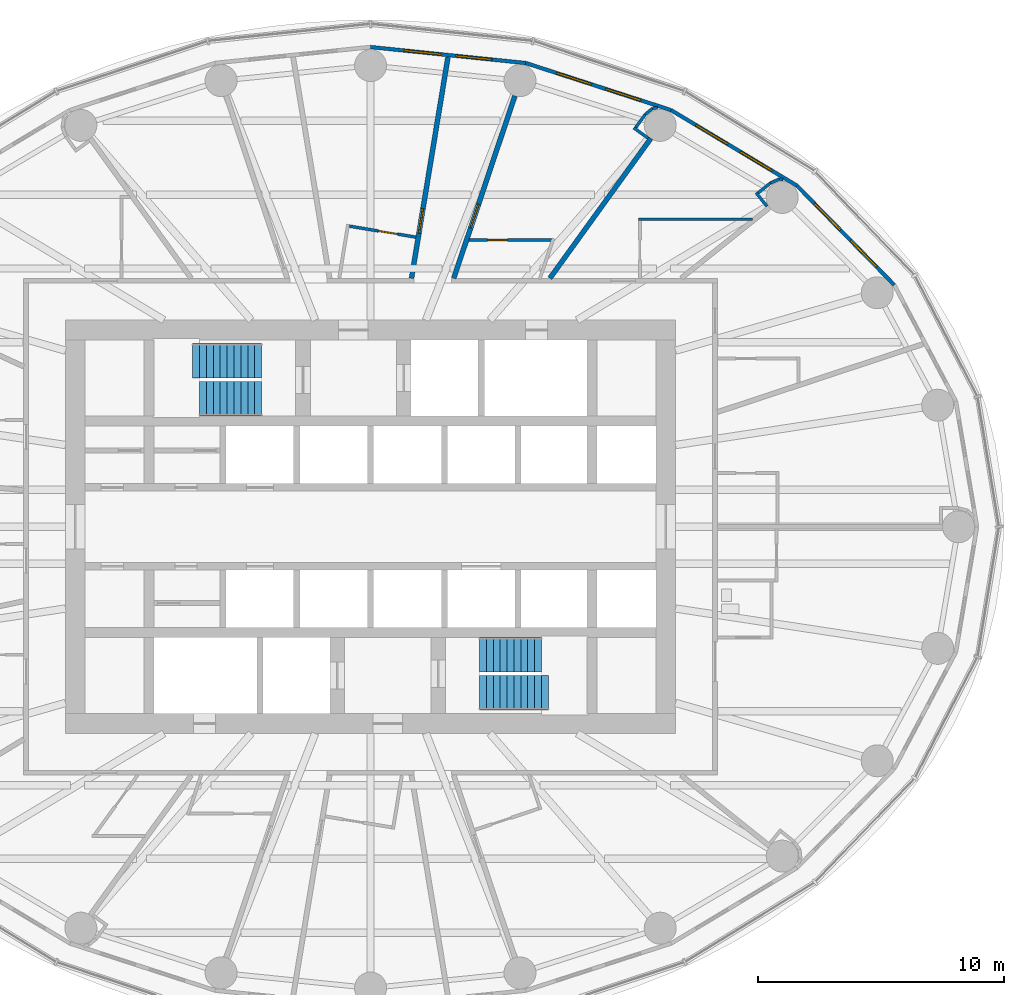
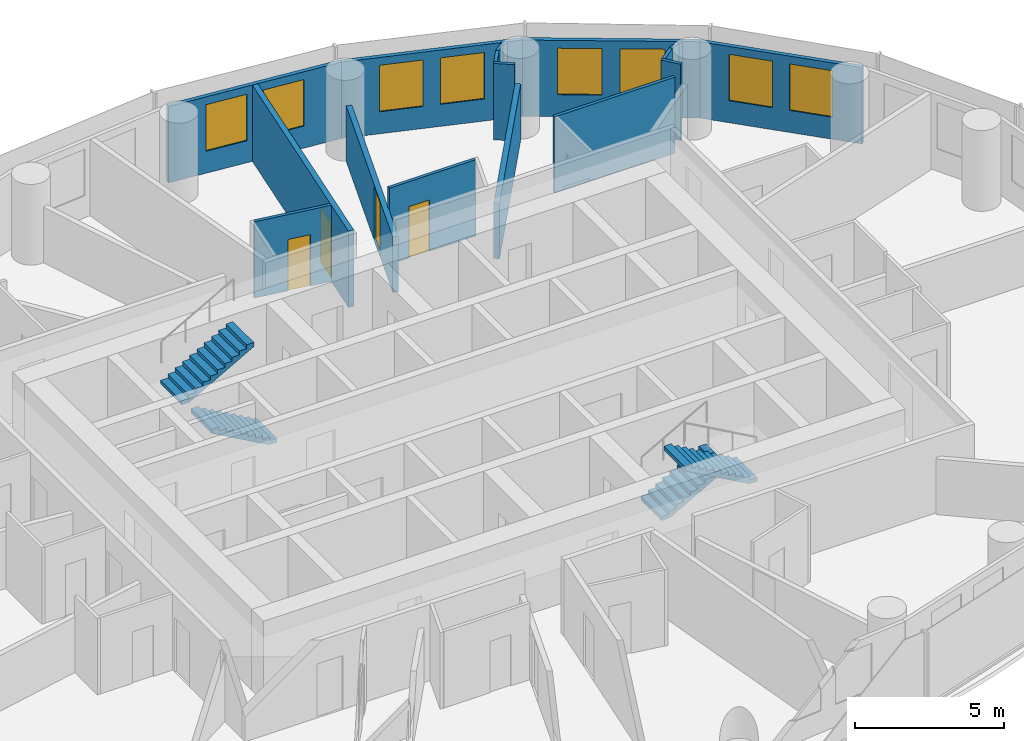
# One storey, part 11 of 13: 18 walls, 8 windows, 4 doors, 4 stair flights, 12 openings, 2 elements without a shape of their own.
"""IFC4 building model written with IfcOpenShell, lengths in metres."""

from ifc_helpers import new_model, si_unit, direction, frame, frame_2d, origin, place, context, subcontext, project, spatial, polyline, rectangle, outline, extrude, material, layer, layer_set, type_object, element, fill, aggregate, save


model = new_model("IFC4")

# Units and contexts
model_context = context("Model", 3, precision=1e-05, world=origin(), true_north=direction((0.0, 1.0)))
body_context = subcontext(model_context, "Body", "Model", "MODEL_VIEW")
ifc_project = project(units=[si_unit("LENGTHUNIT", "METRE"), si_unit("AREAUNIT", "SQUARE_METRE"), si_unit("VOLUMEUNIT", "CUBIC_METRE"), si_unit("PLANEANGLEUNIT", "RADIAN"), si_unit("MASSUNIT", "GRAM", prefix="KILO")], contexts=[model_context])

# Site, building, storey
site_placement = place(None, origin())
site = spatial("IfcSite", under=ifc_project, at=site_placement, CompositionType="ELEMENT")
building_placement = place(site_placement, origin())
building = spatial("IfcBuilding", under=site, at=building_placement, Name="Hankou Lantern Tower", CompositionType="ELEMENT")
storey_placement = place(building_placement, frame((0.0, 0.0, 105.60009765625)))
storey = spatial("IfcBuildingStorey", under=building, at=storey_placement, Name="L26", CompositionType="ELEMENT", Elevation=105.60009765625)

# Wall, openings, windows
ifc_material_1 = material(Name="Aluminium spandrel panel on steel studs", Category="steel")
ifc_layer_1 = layer(ifc_material_1, 0.14990234375)
ifc_layer_set_1 = layer_set([ifc_layer_1], Name="Aluminium spandrel panel on steel studs")
wall_type_1 = type_object("IfcWallType", Name="EW1 INNER SKIN WALL 150", PredefinedType="ELEMENTEDWALL", material=ifc_layer_set_1)
wall_1_placement = place(storey_placement, frame((21.287353515625, 9.83203125, 0.0), z_axis=(0.0, 0.0, 1.0), x_axis=(-0.700136650834, 0.714008872605, 0.0)))
wall_1 = element("IfcWall", 1, at=wall_1_placement, inside=storey, type_object=wall_type_1, Name="Inner skin R03-R04 L26", PredefinedType="ELEMENTEDWALL", context=body_context, shape_type="SweptSolid", body=[
    extrude(rectangle(XDim=5.6494140625, YDim=0.14990234375, at=frame_2d((2.82470703125, 0.0))), origin(), (0.0, 0.0, 1.0), 3.119873046875),
])
opening_1_placement = place(wall_1_placement, frame((1.024658203125, 0.0, 0.89990234375)))
opening_1 = element("IfcOpeningElement", 2, at=opening_1_placement, cuts=wall_1, Name="Opening W2", PredefinedType="OPENING", context=body_context, shape_type="SweptSolid", body=[
    extrude(rectangle(XDim=1.5, YDim=1.89990234375, at=frame_2d((0.75, 0.949951171875))), frame((0.0, 0.0849609375, 0.0), z_axis=(0.0, -1.0, 0.0), x_axis=(1.0, 0.0, 0.0)), (0.0, 0.0, 1.0), 0.169921875),
])
opening_2_placement = place(wall_1_placement, frame((3.12451171875, 0.0, 0.89990234375)))
opening_2 = element("IfcOpeningElement", 3, at=opening_2_placement, cuts=wall_1, Name="Opening W2", PredefinedType="OPENING", context=body_context, shape_type="SweptSolid", body=[
    extrude(rectangle(XDim=1.5, YDim=1.89990234375, at=frame_2d((0.75, 0.949951171875))), frame((0.0, 0.0849609375, 0.0), z_axis=(0.0, -1.0, 0.0), x_axis=(1.0, 0.0, 0.0)), (0.0, 0.0, 1.0), 0.169921875),
])
ifc_material_2 = material(Name="Aluminium framed double glazed window", Category="aluminium")
window_type = type_object("IfcWindowType", Name="W2 GUEST ROOM WINDOW 1500X1900", PartitioningType="DOUBLE_PANEL_VERTICAL", PredefinedType="WINDOW", material=ifc_material_2)
window_1_placement = place(opening_1_placement, origin())
window_1 = element("IfcWindow", 4, at=window_1_placement, inside=storey, type_object=window_type, Name="Window R03.1 L26", OverallHeight=1.89990234375, OverallWidth=1.5, PartitioningType="SINGLE_PANEL", PredefinedType="WINDOW", context=body_context, shape_type="SweptSolid", body=[
    extrude(rectangle(XDim=1.5, YDim=1.89990234375, at=frame_2d((0.75, 0.949951171875))), frame((0.0, 0.030029296875, 0.0), z_axis=(0.0, -1.0, 0.0), x_axis=(1.0, 0.0, 0.0)), (0.0, 0.0, 1.0), 0.06005859375),
])
fill(opening_1, window_1)
window_2_placement = place(opening_2_placement, origin())
window_2 = element("IfcWindow", 5, at=window_2_placement, inside=storey, type_object=window_type, Name="Window R03.2 L26", OverallHeight=1.89990234375, OverallWidth=1.5, PartitioningType="SINGLE_PANEL", PredefinedType="WINDOW", context=body_context, shape_type="SweptSolid", body=[
    extrude(rectangle(XDim=1.5, YDim=1.89990234375, at=frame_2d((0.75, 0.949951171875))), frame((0.0, 0.030029296875, 0.0), z_axis=(0.0, -1.0, 0.0), x_axis=(1.0, 0.0, 0.0)), (0.0, 0.0, 1.0), 0.06005859375),
])
fill(opening_2, window_2)

wall_2_placement = place(storey_placement, frame((17.33203125, 13.86572265625, 0.0), z_axis=(0.0, 0.0, 1.0), x_axis=(-0.857308573723, 0.514802884044, 0.0)))
wall_2 = element("IfcWall", 6, at=wall_2_placement, inside=storey, type_object=wall_type_1, Name="Inner skin R04-R05 L26", PredefinedType="ELEMENTEDWALL", context=body_context, shape_type="SweptSolid", body=[
    extrude(rectangle(XDim=5.961181640625, YDim=0.14990234375, at=frame_2d((2.98046875, 0.0))), origin(), (0.0, 0.0, 1.0), 3.119873046875),
])
opening_3_placement = place(wall_2_placement, frame((1.1806640625, 0.0, 0.89990234375)))
opening_3 = element("IfcOpeningElement", 7, at=opening_3_placement, cuts=wall_2, Name="Opening W2", PredefinedType="OPENING", context=body_context, shape_type="SweptSolid", body=[
    extrude(rectangle(XDim=1.5, YDim=1.89990234375, at=frame_2d((0.75, 0.949951171875))), frame((0.0, 0.0849609375, 0.0), z_axis=(0.0, -1.0, 0.0), x_axis=(1.0, 0.0, 0.0)), (0.0, 0.0, 1.0), 0.169921875),
])
opening_4_placement = place(wall_2_placement, frame((3.280517578125, 0.0, 0.89990234375)))
opening_4 = element("IfcOpeningElement", 8, at=opening_4_placement, cuts=wall_2, Name="Opening W2", PredefinedType="OPENING", context=body_context, shape_type="SweptSolid", body=[
    extrude(rectangle(XDim=1.5, YDim=1.89990234375, at=frame_2d((0.75, 0.949951171875))), frame((0.0, 0.0849609375, 0.0), z_axis=(0.0, -1.0, 0.0), x_axis=(1.0, 0.0, 0.0)), (0.0, 0.0, 1.0), 0.169921875),
])
window_3_placement = place(opening_3_placement, origin())
window_3 = element("IfcWindow", 9, at=window_3_placement, inside=storey, type_object=window_type, Name="Window R04.1 L26", OverallHeight=1.89990234375, OverallWidth=1.5, PartitioningType="SINGLE_PANEL", PredefinedType="WINDOW", context=body_context, shape_type="SweptSolid", body=[
    extrude(rectangle(XDim=1.5, YDim=1.89990234375, at=frame_2d((0.75, 0.949951171875))), frame((0.0, 0.030029296875, 0.0), z_axis=(0.0, -1.0, 0.0), x_axis=(1.0, 0.0, 0.0)), (0.0, 0.0, 1.0), 0.06005859375),
])
fill(opening_3, window_3)
window_4_placement = place(opening_4_placement, origin())
window_4 = element("IfcWindow", 10, at=window_4_placement, inside=storey, type_object=window_type, Name="Window R04.2 L26", OverallHeight=1.89990234375, OverallWidth=1.5, PartitioningType="SINGLE_PANEL", PredefinedType="WINDOW", context=body_context, shape_type="SweptSolid", body=[
    extrude(rectangle(XDim=1.5, YDim=1.89990234375, at=frame_2d((0.75, 0.949951171875))), frame((0.0, 0.030029296875, 0.0), z_axis=(0.0, -1.0, 0.0), x_axis=(1.0, 0.0, 0.0)), (0.0, 0.0, 1.0), 0.06005859375),
])
fill(opening_4, window_4)

wall_3_placement = place(storey_placement, frame((12.221435546875, 16.9345703125, 0.0), z_axis=(0.0, 0.0, 1.0), x_axis=(-0.951272691506, 0.308350881944, 0.0)))
wall_3 = element("IfcWall", 11, at=wall_3_placement, inside=storey, type_object=wall_type_1, Name="Inner skin R05-R06 L26", PredefinedType="ELEMENTEDWALL", context=body_context, shape_type="SweptSolid", body=[
    extrude(rectangle(XDim=6.210693359375, YDim=0.14990234375, at=frame_2d((3.10546875, 0.0))), origin(), (0.0, 0.0, 1.0), 3.119873046875),
])
opening_5_placement = place(wall_3_placement, frame((1.305419921875, 0.0, 0.89990234375)))
opening_5 = element("IfcOpeningElement", 12, at=opening_5_placement, cuts=wall_3, Name="Opening W2", PredefinedType="OPENING", context=body_context, shape_type="SweptSolid", body=[
    extrude(rectangle(XDim=1.5, YDim=1.89990234375, at=frame_2d((0.75, 0.949951171875))), frame((0.0, 0.0849609375, 0.0), z_axis=(0.0, -1.0, 0.0), x_axis=(1.0, 0.0, 0.0)), (0.0, 0.0, 1.0), 0.169921875),
])
opening_6_placement = place(wall_3_placement, frame((3.4052734375, 0.0, 0.89990234375)))
opening_6 = element("IfcOpeningElement", 13, at=opening_6_placement, cuts=wall_3, Name="Opening W2", PredefinedType="OPENING", context=body_context, shape_type="SweptSolid", body=[
    extrude(rectangle(XDim=1.5, YDim=1.89990234375, at=frame_2d((0.75, 0.949951171875))), frame((0.0, 0.0849609375, 0.0), z_axis=(0.0, -1.0, 0.0), x_axis=(1.0, 0.0, 0.0)), (0.0, 0.0, 1.0), 0.169921875),
])
window_5_placement = place(opening_5_placement, origin())
window_5 = element("IfcWindow", 14, at=window_5_placement, inside=storey, type_object=window_type, Name="Window R05.1 L26", OverallHeight=1.89990234375, OverallWidth=1.5, PartitioningType="SINGLE_PANEL", PredefinedType="WINDOW", context=body_context, shape_type="SweptSolid", body=[
    extrude(rectangle(XDim=1.5, YDim=1.89990234375, at=frame_2d((0.75, 0.949951171875))), frame((0.0, 0.030029296875, 0.0), z_axis=(0.0, -1.0, 0.0), x_axis=(1.0, 0.0, 0.0)), (0.0, 0.0, 1.0), 0.06005859375),
])
fill(opening_5, window_5)
window_6_placement = place(opening_6_placement, origin())
window_6 = element("IfcWindow", 15, at=window_6_placement, inside=storey, type_object=window_type, Name="Window R05.2 L26", OverallHeight=1.89990234375, OverallWidth=1.5, PartitioningType="SINGLE_PANEL", PredefinedType="WINDOW", context=body_context, shape_type="SweptSolid", body=[
    extrude(rectangle(XDim=1.5, YDim=1.89990234375, at=frame_2d((0.75, 0.949951171875))), frame((0.0, 0.030029296875, 0.0), z_axis=(0.0, -1.0, 0.0), x_axis=(1.0, 0.0, 0.0)), (0.0, 0.0, 1.0), 0.06005859375),
])
fill(opening_6, window_6)

wall_4_placement = place(storey_placement, frame((6.3134765625, 18.849609375, 0.0), z_axis=(0.0, 0.0, 1.0), x_axis=(-0.994735690163, 0.102473931887, 0.0)))
wall_4 = element("IfcWall", 16, at=wall_4_placement, inside=storey, type_object=wall_type_1, Name="Inner skin R06-R07 L26", PredefinedType="ELEMENTEDWALL", context=body_context, shape_type="SweptSolid", body=[
    extrude(rectangle(XDim=6.346923828125, YDim=0.14990234375, at=frame_2d((3.17333984375, 0.0))), origin(), (0.0, 0.0, 1.0), 3.119873046875),
])
opening_7_placement = place(wall_4_placement, frame((1.373291015625, 0.0, 0.89990234375)))
opening_7 = element("IfcOpeningElement", 17, at=opening_7_placement, cuts=wall_4, Name="Opening W2", PredefinedType="OPENING", context=body_context, shape_type="SweptSolid", body=[
    extrude(rectangle(XDim=1.5, YDim=1.89990234375, at=frame_2d((0.75, 0.949951171875))), frame((0.0, 0.0849609375, 0.0), z_axis=(0.0, -1.0, 0.0), x_axis=(1.0, 0.0, 0.0)), (0.0, 0.0, 1.0), 0.169921875),
])
opening_8_placement = place(wall_4_placement, frame((3.473388671875, 0.0, 0.89990234375)))
opening_8 = element("IfcOpeningElement", 18, at=opening_8_placement, cuts=wall_4, Name="Opening W2", PredefinedType="OPENING", context=body_context, shape_type="SweptSolid", body=[
    extrude(rectangle(XDim=1.5, YDim=1.89990234375, at=frame_2d((0.75, 0.949951171875))), frame((0.0, 0.0849609375, 0.0), z_axis=(0.0, -1.0, 0.0), x_axis=(1.0, 0.0, 0.0)), (0.0, 0.0, 1.0), 0.169921875),
])
window_7_placement = place(opening_7_placement, origin())
window_7 = element("IfcWindow", 19, at=window_7_placement, inside=storey, type_object=window_type, Name="Window R06.1 L26", OverallHeight=1.89990234375, OverallWidth=1.5, PartitioningType="SINGLE_PANEL", PredefinedType="WINDOW", context=body_context, shape_type="SweptSolid", body=[
    extrude(rectangle(XDim=1.5, YDim=1.89990234375, at=frame_2d((0.75, 0.949951171875))), frame((0.0, 0.030029296875, 0.0), z_axis=(0.0, -1.0, 0.0), x_axis=(1.0, 0.0, 0.0)), (0.0, 0.0, 1.0), 0.06005859375),
])
fill(opening_7, window_7)
window_8_placement = place(opening_8_placement, origin())
window_8 = element("IfcWindow", 20, at=window_8_placement, inside=storey, type_object=window_type, Name="Window R06.2 L26", OverallHeight=1.89990234375, OverallWidth=1.5, PartitioningType="SINGLE_PANEL", PredefinedType="WINDOW", context=body_context, shape_type="SweptSolid", body=[
    extrude(rectangle(XDim=1.5, YDim=1.89990234375, at=frame_2d((0.75, 0.949951171875))), frame((0.0, 0.030029296875, 0.0), z_axis=(0.0, -1.0, 0.0), x_axis=(1.0, 0.0, 0.0)), (0.0, 0.0, 1.0), 0.06005859375),
])
fill(opening_8, window_8)

# Wall
ifc_material_3 = material(Name="Masonry lightweight concrete block", Category="masonry")
ifc_layer_2 = layer(ifc_material_3, 0.199951171875)
ifc_layer_set_2 = layer_set([ifc_layer_2], Name="Masonry lightweight concrete block")
wall_type_2 = type_object("IfcWallType", Name="IW1 GUEST ROOM PARTY WALL 200", PredefinedType="PARTITIONING", material=ifc_layer_set_2)
wall_5_placement = place(storey_placement, frame((7.2890625, 10.10009765625, 0.0), z_axis=(0.0, 0.0, 1.0), x_axis=(0.585217367024, 0.81087645997, 0.0)))
element("IfcWall", 21, at=wall_5_placement, inside=storey, type_object=wall_type_2, Name="Party wall R05", PredefinedType="PARTITIONING", context=body_context, shape_type="SweptSolid", body=[
    extrude(rectangle(XDim=7.01611328125, YDim=0.199951171875, at=frame_2d((3.508056640625, 0.0))), origin(), (0.0, 0.0, 1.0), 2.27001953125),
])

# Wall, opening, door
ifc_material_4 = material(Name="Masonry lightweight concrete block", Category="masonry")
ifc_layer_3 = layer(ifc_material_4, 0.199951171875)
ifc_layer_set_3 = layer_set([ifc_layer_3], Name="Masonry lightweight concrete block")
wall_type_3 = type_object("IfcWallType", Name="IW2 CORRIDOR WALL 200", PredefinedType="PARTITIONING", material=ifc_layer_set_3)
wall_6_placement = place(storey_placement, frame((3.3828125, 10.10009765625, 0.0), z_axis=(0.0, 0.0, 1.0), x_axis=(0.317603705574, 0.948223542318, 0.0)))
wall_6 = element("IfcWall", 22, at=wall_6_placement, inside=storey, type_object=wall_type_3, Name="Corridor spur wall R06", PredefinedType="PARTITIONING", context=body_context, shape_type="SweptSolid", body=[
    extrude(rectangle(XDim=7.822998046875, YDim=0.199951171875, at=frame_2d((3.91162109375, 0.0))), origin(), (0.0, 0.0, 1.0), 2.27001953125),
])
opening_9_placement = place(wall_6_placement, frame((2.168212890625, 0.0, 0.0)))
opening_9 = element("IfcOpeningElement", 23, at=opening_9_placement, cuts=wall_6, Name="Opening D1", PredefinedType="OPENING", context=body_context, shape_type="SweptSolid", body=[
    extrude(rectangle(XDim=1.0, YDim=2.199951171875, at=frame_2d((0.5, 1.10009765625))), frame((0.0, 0.10986328125, 0.0), z_axis=(0.0, -1.0, 0.0), x_axis=(1.0, 0.0, 0.0)), (0.0, 0.0, 1.0), 0.219970703125),
])
ifc_material_5 = material(Name="Steel door leaf", Category="steel")
door_type_1 = type_object("IfcDoorType", Name="D1 GUEST ROOM DOOR 1000X2200", OperationType="SINGLE_SWING_LEFT", PredefinedType="DOOR", material=ifc_material_5)
door_1_placement = place(opening_9_placement, origin())
door_1 = element("IfcDoor", 24, at=door_1_placement, inside=storey, type_object=door_type_1, Name="Guest room door 2619", OperationType="SINGLE_SWING_LEFT", OverallHeight=2.199951171875, OverallWidth=1.0, PredefinedType="DOOR", context=body_context, shape_type="SweptSolid", body=[
    extrude(rectangle(XDim=1.0, YDim=2.199951171875, at=frame_2d((0.5, 1.10009765625))), frame((0.0, 0.02490234375, 0.0), z_axis=(0.0, -1.0, 0.0), x_axis=(1.0, 0.0, 0.0)), (0.0, 0.0, 1.0), 0.050048828125),
])
fill(opening_9, door_1)

wall_7_placement = place(storey_placement, frame((1.665283203125, 10.10009765625, 0.0), z_axis=(0.0, 0.0, 1.0), x_axis=(0.162660519103, 0.986682094459, 0.0)))
wall_7 = element("IfcWall", 25, at=wall_7_placement, inside=storey, type_object=wall_type_3, Name="Corridor spur wall R06-R07", PredefinedType="PARTITIONING", context=body_context, shape_type="SweptSolid", body=[
    extrude(rectangle(XDim=9.110595703125, YDim=0.199951171875, at=frame_2d((4.55517578125, 0.0))), origin(), (0.0, 0.0, 1.0), 3.119873046875),
])
opening_10_placement = place(wall_7_placement, frame((1.860107421875, 0.0, 0.0)))
opening_10 = element("IfcOpeningElement", 26, at=opening_10_placement, cuts=wall_7, Name="Opening D1", PredefinedType="OPENING", context=body_context, shape_type="SweptSolid", body=[
    extrude(rectangle(XDim=1.0, YDim=2.199951171875, at=frame_2d((0.5, 1.10009765625))), frame((0.0, 0.10986328125, 0.0), z_axis=(0.0, -1.0, 0.0), x_axis=(1.0, 0.0, 0.0)), (0.0, 0.0, 1.0), 0.219970703125),
])
door_2_placement = place(opening_10_placement, origin())
door_2 = element("IfcDoor", 27, at=door_2_placement, inside=storey, type_object=door_type_1, Name="Guest room door 2602", OperationType="SINGLE_SWING_LEFT", OverallHeight=2.199951171875, OverallWidth=1.0, PredefinedType="DOOR", context=body_context, shape_type="SweptSolid", body=[
    extrude(rectangle(XDim=1.0, YDim=2.199951171875, at=frame_2d((0.5, 1.10009765625))), frame((0.0, 0.02490234375, 0.0), z_axis=(0.0, -1.0, 0.0), x_axis=(1.0, 0.0, 0.0)), (0.0, 0.0, 1.0), 0.050048828125),
])
fill(opening_10, door_2)

ifc_material_6 = material(Name="Masonry lightweight concrete block", Category="masonry")
ifc_layer_4 = layer(ifc_material_6, 0.1201171875)
ifc_layer_set_4 = layer_set([ifc_layer_4], Name="Masonry lightweight concrete block")
wall_type_4 = type_object("IfcWallType", Name="IW3 BATHROOM WALL 120", PredefinedType="PARTITIONING", material=ifc_layer_set_4)
wall_8_placement = place(storey_placement, frame((1.83984375, 11.77392578125, 0.0), z_axis=(0.0, 0.0, 1.0), x_axis=(-0.986676602341, 0.162693830222, 0.0)))
wall_8 = element("IfcWall", 28, at=wall_8_placement, inside=storey, type_object=wall_type_4, Name="Box wall 2602 1", PredefinedType="PARTITIONING", context=body_context, shape_type="SweptSolid", body=[
    extrude(rectangle(XDim=2.740234375, YDim=0.1201171875, at=frame_2d((1.3701171875, 0.0))), origin(), (0.0, 0.0, 1.0), 3.119873046875),
])
opening_11_placement = place(wall_8_placement, frame((0.75, 0.0, 0.0)))
opening_11 = element("IfcOpeningElement", 29, at=opening_11_placement, cuts=wall_8, Name="Opening D3", PredefinedType="OPENING", context=body_context, shape_type="SweptSolid", body=[
    extrude(rectangle(XDim=0.800048828125, YDim=2.10009765625, at=frame_2d((0.39990234375, 1.050048828125))), frame((0.0, 0.070068359375, 0.0), z_axis=(0.0, -1.0, 0.0), x_axis=(1.0, 0.0, 0.0)), (0.0, 0.0, 1.0), 0.14013671875),
])
ifc_material_7 = material(Name="Timber door leaf", Category="wood")
door_type_2 = type_object("IfcDoorType", Name="D3 BATHROOM DOOR 800X2100", OperationType="SINGLE_SWING_LEFT", PredefinedType="DOOR", material=ifc_material_7)
door_3_placement = place(opening_11_placement, origin())
door_3 = element("IfcDoor", 30, at=door_3_placement, inside=storey, type_object=door_type_2, Name="En-suite bathroom 2602 door", OperationType="SINGLE_SWING_LEFT", OverallHeight=2.10009765625, OverallWidth=0.800048828125, PredefinedType="DOOR", context=body_context, shape_type="SweptSolid", body=[
    extrude(rectangle(XDim=0.800048828125, YDim=2.10009765625, at=frame_2d((0.39990234375, 1.050048828125))), frame((0.0, 0.02490234375, 0.0), z_axis=(0.0, -1.0, 0.0), x_axis=(1.0, 0.0, 0.0)), (0.0, 0.0, 1.0), 0.050048828125),
])
fill(opening_11, door_3)

# Wall
wall_9_placement = place(storey_placement, frame((15.52490234375, 12.5, 0.0), z_axis=(0.0, 0.0, 1.0), x_axis=(-1.0, 0.0, 0.0)))
element("IfcWall", 31, at=wall_9_placement, inside=storey, type_object=wall_type_4, Name="Box wall 2618 1", PredefinedType="PARTITIONING", context=body_context, shape_type="SweptSolid", body=[
    extrude(rectangle(XDim=4.639892578125, YDim=0.1201171875, at=frame_2d((2.31982421875, 0.0))), origin(), (0.0, 0.0, 1.0), 3.119873046875),
])

# Wall, opening, door
wall_10_placement = place(storey_placement, frame((4.01123046875, 11.661376953125, 0.0), z_axis=(0.0, 0.0, 1.0), x_axis=(1.0, 0.0, 0.0)))
wall_10 = element("IfcWall", 32, at=wall_10_placement, inside=storey, type_object=wall_type_4, Name="Box wall 2619 1", PredefinedType="PARTITIONING", context=body_context, shape_type="SweptSolid", body=[
    extrude(rectangle(XDim=3.340087890625, YDim=0.1201171875, at=frame_2d((1.669921875, 0.0))), origin(), (0.0, 0.0, 1.0), 3.119873046875),
])
opening_12_placement = place(wall_10_placement, frame((0.75, 0.0, 0.0)))
opening_12 = element("IfcOpeningElement", 33, at=opening_12_placement, cuts=wall_10, Name="Opening D3", PredefinedType="OPENING", context=body_context, shape_type="SweptSolid", body=[
    extrude(rectangle(XDim=0.800048828125, YDim=2.10009765625, at=frame_2d((0.39990234375, 1.050048828125))), frame((0.0, 0.070068359375, 0.0), z_axis=(0.0, -1.0, 0.0), x_axis=(1.0, 0.0, 0.0)), (0.0, 0.0, 1.0), 0.14013671875),
])
door_4_placement = place(opening_12_placement, origin())
door_4 = element("IfcDoor", 34, at=door_4_placement, inside=storey, type_object=door_type_2, Name="En-suite bathroom 2619 door", OperationType="SINGLE_SWING_LEFT", OverallHeight=2.10009765625, OverallWidth=0.800048828125, PredefinedType="DOOR", context=body_context, shape_type="SweptSolid", body=[
    extrude(rectangle(XDim=0.800048828125, YDim=2.10009765625, at=frame_2d((0.39990234375, 1.050048828125))), frame((0.0, 0.02490234375, 0.0), z_axis=(0.0, -1.0, 0.0), x_axis=(1.0, 0.0, 0.0)), (0.0, 0.0, 1.0), 0.050048828125),
])
fill(opening_12, door_4)

# Walls
ifc_material_8 = material(Name="Masonry lightweight concrete block", Category="masonry")
ifc_layer_5 = layer(ifc_material_8, 0.1201171875)
ifc_layer_set_5 = layer_set([ifc_layer_5], Name="Masonry lightweight concrete block")
wall_type_5 = type_object("IfcWallType", Name="IW4 PARTITION 120", PredefinedType="PARTITIONING", material=ifc_layer_set_5)
wall_11_placement = place(storey_placement, frame((16.116943359375, 13.021728515625, 0.0), z_axis=(0.0, 0.0, 1.0), x_axis=(-0.62465344249, 0.780902091677, 0.0)))
element("IfcWall", 35, at=wall_11_placement, inside=storey, type_object=wall_type_5, Name="Column casing R04 return", PredefinedType="PARTITIONING", context=body_context, shape_type="SweptSolid", body=[
    extrude(rectangle(XDim=0.715576171875, YDim=0.1201171875, at=frame_2d((0.35791015625, 0.0))), origin(), (0.0, 0.0, 1.0), 3.119873046875),
])
wall_12_placement = place(storey_placement, frame((15.754150390625, 13.5712890625, 0.0), z_axis=(0.0, 0.0, 1.0), x_axis=(0.780905453553, 0.624649239663, 0.0)))
element("IfcWall", 36, at=wall_12_placement, inside=storey, type_object=wall_type_5, Name="Column casing R04", PredefinedType="PARTITIONING", context=body_context, shape_type="SweptSolid", body=[
    extrude(rectangle(XDim=0.64990234375, YDim=0.1201171875, at=frame_2d((0.324951171875, 0.0))), origin(), (0.0, 0.0, 1.0), 3.119873046875),
])
wall_13_placement = place(storey_placement, frame((16.26171875, 13.977294921875, 0.0), z_axis=(0.0, 0.0, 1.0), x_axis=(0.915985403703, 0.401211590314, 0.0)))
element("IfcWall", 37, at=wall_13_placement, inside=storey, type_object=wall_type_5, Name="Column casing R04", PredefinedType="PARTITIONING", context=body_context, shape_type="SweptSolid", body=[
    extrude(rectangle(XDim=0.391357421875, YDim=0.1201171875, at=frame_2d((0.19580078125, 0.0))), origin(), (0.0, 0.0, 1.0), 3.119873046875),
])
wall_14_placement = place(storey_placement, frame((16.6201171875, 14.13427734375, 0.0), z_axis=(0.0, 0.0, 1.0), x_axis=(0.993941871493, -0.109907033867, 0.0)))
element("IfcWall", 38, at=wall_14_placement, inside=storey, type_object=wall_type_5, Name="Column casing R04", PredefinedType="PARTITIONING", context=body_context, shape_type="SweptSolid", body=[
    extrude(rectangle(XDim=0.1533203125, YDim=0.1201171875, at=frame_2d((0.07666015625, 0.0))), origin(), (0.0, 0.0, 1.0), 3.119873046875),
])
wall_15_placement = place(storey_placement, frame((11.27880859375, 15.799072265625, 0.0), z_axis=(0.0, 0.0, 1.0), x_axis=(-0.810912957127, 0.585166793285, 0.0)))
element("IfcWall", 39, at=wall_15_placement, inside=storey, type_object=wall_type_5, Name="Column casing R05 return", PredefinedType="PARTITIONING", context=body_context, shape_type="SweptSolid", body=[
    extrude(rectangle(XDim=0.7158203125, YDim=0.1201171875, at=frame_2d((0.35791015625, 0.0))), origin(), (0.0, 0.0, 1.0), 3.119873046875),
])
wall_16_placement = place(storey_placement, frame((10.781982421875, 16.2314453125, 0.0), z_axis=(0.0, 0.0, 1.0), x_axis=(0.585175102182, 0.810906961239, 0.0)))
element("IfcWall", 40, at=wall_16_placement, inside=storey, type_object=wall_type_5, Name="Column casing R05", PredefinedType="PARTITIONING", context=body_context, shape_type="SweptSolid", body=[
    extrude(rectangle(XDim=0.64990234375, YDim=0.1201171875, at=frame_2d((0.324951171875, 0.0))), origin(), (0.0, 0.0, 1.0), 3.119873046875),
])
wall_17_placement = place(storey_placement, frame((11.162353515625, 16.758544921875, 0.0), z_axis=(0.0, 0.0, 1.0), x_axis=(0.775178428527, 0.63174235567, 0.0)))
element("IfcWall", 41, at=wall_17_placement, inside=storey, type_object=wall_type_5, Name="Column casing R05", PredefinedType="PARTITIONING", context=body_context, shape_type="SweptSolid", body=[
    extrude(rectangle(XDim=0.3916015625, YDim=0.1201171875, at=frame_2d((0.19580078125, 0.0))), origin(), (0.0, 0.0, 1.0), 3.119873046875),
])
wall_18_placement = place(storey_placement, frame((11.4658203125, 17.005859375, 0.0), z_axis=(0.0, 0.0, 1.0), x_axis=(0.987228877621, 0.15930832744, 0.0)))
element("IfcWall", 42, at=wall_18_placement, inside=storey, type_object=wall_type_5, Name="Column casing R05", PredefinedType="PARTITIONING", context=body_context, shape_type="SweptSolid", body=[
    extrude(rectangle(XDim=0.202392578125, YDim=0.1201171875, at=frame_2d((0.10107421875, 0.0))), origin(), (0.0, 0.0, 1.0), 3.119873046875),
])

# Stair, stair flight
ifc_material_9 = material(Name="Concrete C40", Category="concrete")
stair_type = type_object("IfcStairType", Name="ST33 CORE STAIR 3300 RISE", PredefinedType="HALF_TURN_STAIR", material=ifc_material_9)
stair_1_placement = place(storey_placement, origin())
stair_1 = element("IfcStair", 43, at=stair_1_placement, inside=storey, type_object=stair_type, Name="Stair STA L26", PredefinedType="HALF_TURN_STAIR")
ifc_material_10 = material(Name="Concrete C40", Category="concrete")
stair_flight_type_1 = type_object("IfcStairFlightType", Name="CF10 CORE STAIR FLIGHT 1400 X 10 RISERS", PredefinedType="STRAIGHT", material=ifc_material_10)
stair_flight_1_placement = place(storey_placement, frame((-4.429931640625, 5.199951171875, 0.0), z_axis=(0.0, 0.0, 1.0), x_axis=(-1.0, 0.0, 0.0)))
stair_flight_1 = element("IfcStairFlight", 44, at=stair_flight_1_placement, type_object=stair_flight_type_1, Name="STA flight 1", NumberOfRisers=10, NumberOfTreads=9, PredefinedType="STRAIGHT", RiserHeight=0.157142857, TreadLength=0.28, context=body_context, shape_type="SweptSolid", body=[
    extrude(outline(polyline([(0.0, 0.0), (0.0, 0.1572265625), (0.280029296875, 0.1572265625), (0.280029296875, 0.314208984375), (0.56005859375, 0.314208984375), (0.56005859375, 0.471435546875), (0.840087890625, 0.471435546875), (0.840087890625, 0.628662109375), (1.1201171875, 0.628662109375), (1.1201171875, 0.78564453125), (1.39990234375, 0.78564453125), (1.39990234375, 0.94287109375), (1.679931640625, 0.94287109375), (1.679931640625, 1.10009765625), (1.9599609375, 1.10009765625), (1.9599609375, 1.257080078125), (2.239990234375, 1.257080078125), (2.239990234375, 1.414306640625), (2.52001953125, 1.414306640625), (2.52001953125, 1.571533203125), (2.52001953125, 1.242431640625), (0.306396484375, 0.0), (0.0, 0.0)])), frame((0.0, 0.699951171875, 0.0), z_axis=(0.0, -1.0, 0.0), x_axis=(1.0, 0.0, 0.0)), (0.0, 0.0, 1.0), 1.39990234375),
])

stair_2_placement = place(storey_placement, origin())
stair_2 = element("IfcStair", 45, at=stair_2_placement, inside=storey, type_object=stair_type, Name="Stair STB L26", PredefinedType="HALF_TURN_STAIR")
stair_flight_2_placement = place(storey_placement, frame((4.429931640625, -5.199951171875, 0.0), z_axis=(0.0, 0.0, 1.0), x_axis=(1.0, 0.0, 0.0)))
stair_flight_2 = element("IfcStairFlight", 46, at=stair_flight_2_placement, type_object=stair_flight_type_1, Name="STB flight 1", NumberOfRisers=10, NumberOfTreads=9, PredefinedType="STRAIGHT", RiserHeight=0.157142857, TreadLength=0.28, context=body_context, shape_type="SweptSolid", body=[
    extrude(outline(polyline([(0.0, 0.0), (0.0, 0.1572265625), (0.280029296875, 0.1572265625), (0.280029296875, 0.314208984375), (0.56005859375, 0.314208984375), (0.56005859375, 0.471435546875), (0.840087890625, 0.471435546875), (0.840087890625, 0.628662109375), (1.1201171875, 0.628662109375), (1.1201171875, 0.78564453125), (1.39990234375, 0.78564453125), (1.39990234375, 0.94287109375), (1.679931640625, 0.94287109375), (1.679931640625, 1.10009765625), (1.9599609375, 1.10009765625), (1.9599609375, 1.257080078125), (2.239990234375, 1.257080078125), (2.239990234375, 1.414306640625), (2.52001953125, 1.414306640625), (2.52001953125, 1.571533203125), (2.52001953125, 1.242431640625), (0.306396484375, 0.0), (0.0, 0.0)])), frame((0.0, 0.699951171875, 0.0), z_axis=(0.0, -1.0, 0.0), x_axis=(1.0, 0.0, 0.0)), (0.0, 0.0, 1.0), 1.39990234375),
])

# Stair flight
ifc_material_11 = material(Name="Concrete C40", Category="concrete")
stair_flight_type_2 = type_object("IfcStairFlightType", Name="CF11 CORE STAIR FLIGHT 1400 X 11 RISERS", PredefinedType="STRAIGHT", material=ifc_material_11)
stair_flight_3_placement = place(storey_placement, frame((-7.22998046875, 6.75, 1.5712890625), z_axis=(0.0, 0.0, 1.0), x_axis=(1.0, 0.0, 0.0)))
stair_flight_3 = element("IfcStairFlight", 47, at=stair_flight_3_placement, type_object=stair_flight_type_2, Name="STA flight 2", NumberOfRisers=11, NumberOfTreads=10, PredefinedType="STRAIGHT", RiserHeight=0.157142857, TreadLength=0.28, context=body_context, shape_type="SweptSolid", body=[
    extrude(outline(polyline([(0.0, 0.0), (0.0, 0.1572265625), (0.280029296875, 0.1572265625), (0.280029296875, 0.314208984375), (0.56005859375, 0.314208984375), (0.56005859375, 0.471435546875), (0.840087890625, 0.471435546875), (0.840087890625, 0.628662109375), (1.1201171875, 0.628662109375), (1.1201171875, 0.78564453125), (1.39990234375, 0.78564453125), (1.39990234375, 0.94287109375), (1.679931640625, 0.94287109375), (1.679931640625, 1.10009765625), (1.9599609375, 1.10009765625), (1.9599609375, 1.257080078125), (2.239990234375, 1.257080078125), (2.239990234375, 1.414306640625), (2.52001953125, 1.414306640625), (2.52001953125, 1.571533203125), (2.800048828125, 1.571533203125), (2.800048828125, 1.728515625), (2.800048828125, 1.3994140625), (0.306396484375, 0.0), (0.0, 0.0)])), frame((0.0, 0.699951171875, 0.0), z_axis=(0.0, -1.0, 0.0), x_axis=(1.0, 0.0, 0.0)), (0.0, 0.0, 1.0), 1.39990234375),
])

aggregate(stair_1, [stair_flight_1, stair_flight_3])

stair_flight_4_placement = place(storey_placement, frame((7.22998046875, -6.75, 1.5712890625), z_axis=(0.0, 0.0, 1.0), x_axis=(-1.0, 0.0, 0.0)))
stair_flight_4 = element("IfcStairFlight", 48, at=stair_flight_4_placement, type_object=stair_flight_type_2, Name="STB flight 2", NumberOfRisers=11, NumberOfTreads=10, PredefinedType="STRAIGHT", RiserHeight=0.157142857, TreadLength=0.28, context=body_context, shape_type="SweptSolid", body=[
    extrude(outline(polyline([(0.0, 0.0), (0.0, 0.1572265625), (0.280029296875, 0.1572265625), (0.280029296875, 0.314208984375), (0.56005859375, 0.314208984375), (0.56005859375, 0.471435546875), (0.840087890625, 0.471435546875), (0.840087890625, 0.628662109375), (1.1201171875, 0.628662109375), (1.1201171875, 0.78564453125), (1.39990234375, 0.78564453125), (1.39990234375, 0.94287109375), (1.679931640625, 0.94287109375), (1.679931640625, 1.10009765625), (1.9599609375, 1.10009765625), (1.9599609375, 1.257080078125), (2.239990234375, 1.257080078125), (2.239990234375, 1.414306640625), (2.52001953125, 1.414306640625), (2.52001953125, 1.571533203125), (2.800048828125, 1.571533203125), (2.800048828125, 1.728515625), (2.800048828125, 1.3994140625), (0.306396484375, 0.0), (0.0, 0.0)])), frame((0.0, 0.699951171875, 0.0), z_axis=(0.0, -1.0, 0.0), x_axis=(1.0, 0.0, 0.0)), (0.0, 0.0, 1.0), 1.39990234375),
])

aggregate(stair_2, [stair_flight_2, stair_flight_4])

save(model, "model.ifc")
